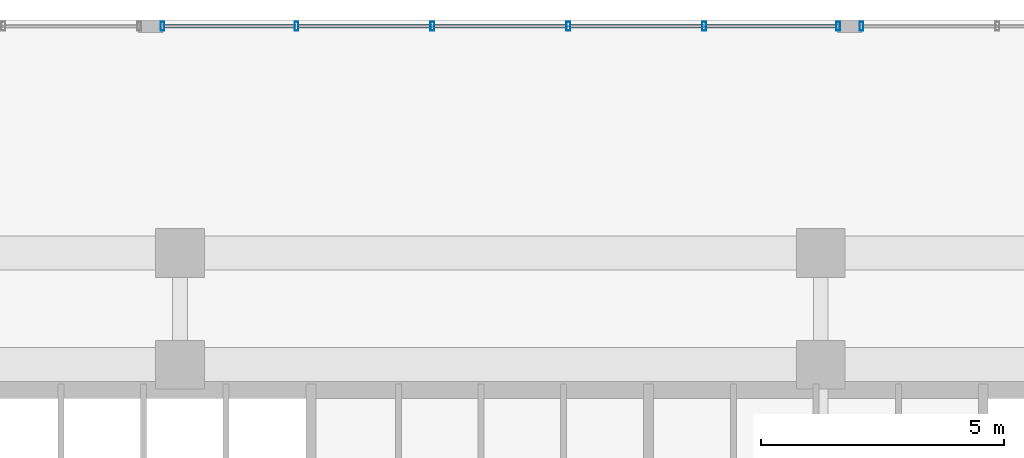
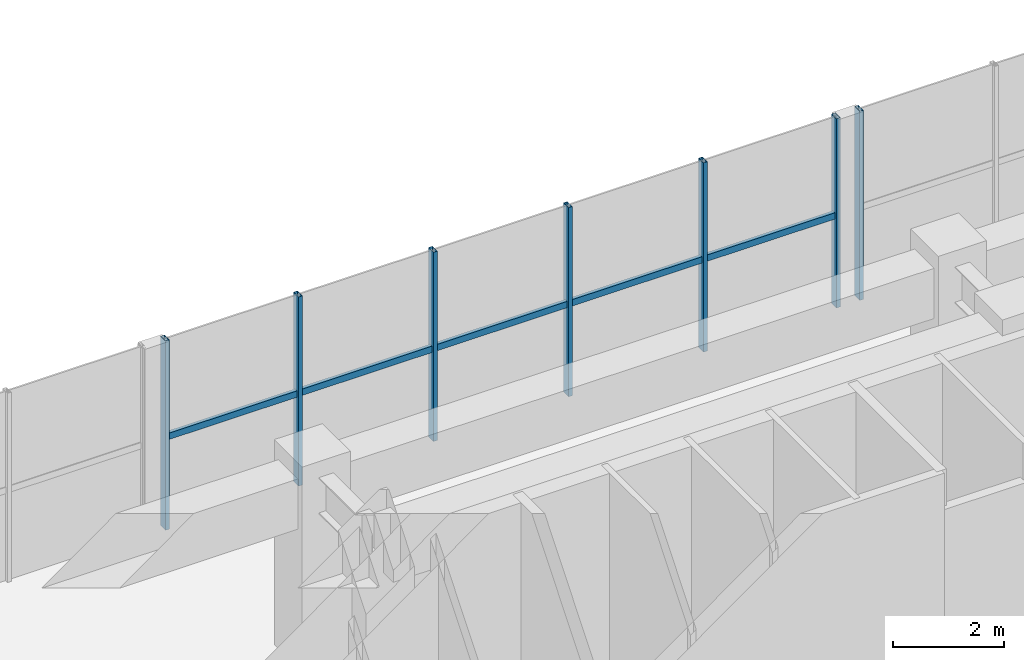
# One storey, part 8 of 21: 12 members, 2 elements without a shape of their own.
"""IFC4 building model written with IfcOpenShell, lengths in metres."""

from ifc_helpers import new_model, si_unit, direction, frame, origin, origin_2d, place, context, subcontext, project, spatial, hollow_rectangle, extrude, source, transform, mapped, material, material_profile, profile_set, type_object, element, aggregate, save


model = new_model("IFC4")

# Units and contexts
model_context = context("Model", 3, precision=1e-05, world=origin(), true_north=direction((0.0, 1.0)))
body_context = subcontext(model_context, "Body", "Model", "MODEL_VIEW")
ifc_project = project(units=[si_unit("LENGTHUNIT", "METRE"), si_unit("AREAUNIT", "SQUARE_METRE"), si_unit("VOLUMEUNIT", "CUBIC_METRE"), si_unit("PLANEANGLEUNIT", "RADIAN"), si_unit("MASSUNIT", "GRAM", prefix="KILO")], contexts=[model_context])

# Site, building, storey
site_placement = place(None, origin())
site = spatial("IfcSite", under=ifc_project, at=site_placement, CompositionType="ELEMENT")
building_placement = place(site_placement, origin())
building = spatial("IfcBuilding", under=site, at=building_placement, Name="Trelvane Seafront Commons", CompositionType="ELEMENT")
storey_placement = place(building_placement, frame((0.0, 0.0, 14.199951171875)))
storey = spatial("IfcBuildingStorey", under=building, at=storey_placement, Name="L03", CompositionType="ELEMENT", Elevation=14.199951171875)

# Curtain wall, members
ifc_material = material(Name="Anodised pale-silver aluminium", Category="aluminium")
curtain_wall_type = type_object("IfcCurtainWallType", Name="ARCH-CW1-PODIUM", PredefinedType="NOTDEFINED", material=ifc_material)
curtain_wall_1_placement = place(storey_placement, origin())
curtain_wall_1 = element("IfcCurtainWall", 1, at=curtain_wall_1_placement, inside=storey, type_object=curtain_wall_type, Name="CW-L03-0020", PredefinedType="NOTDEFINED")
ifc_material_profile_1 = material_profile(ifc_material, hollow_rectangle(XDim=0.074951171875, YDim=0.139892578125, WallThickness=0.00390625, at=origin_2d()), Name="TRAN-75x140x4")
ifc_profile_set_1 = profile_set([ifc_material_profile_1], Name="Anodised pale-silver aluminium")
member_type_1 = type_object("IfcMemberType", Name="ARCH-CW-TRAN-140", PredefinedType="USERDEFINED", material=ifc_profile_set_1)
shared_shape_1 = source(origin(), body_context, "Body", "SweptSolid", [
    extrude(hollow_rectangle(XDim=0.074951171875, YDim=0.139892578125, WallThickness=0.00390625, at=origin_2d()), origin(), (0.0, 0.0, 1.0), 2.776123046875),
])
member_1_placement = place(storey_placement, frame((30.2119140625, 52.070068359375, 1.991943359375), z_axis=(1.0, 0.0, 0.0), x_axis=(0.0, 1.0, 0.0)))
member_1 = element("IfcMember", 2, at=member_1_placement, type_object=member_type_1, Name="CW-L03-0020-T00", ObjectType="TRANSOM", PredefinedType="USERDEFINED", context=body_context, shape_type="MappedRepresentation", body=[
    mapped(shared_shape_1, transform((0.0, 0.0, 0.0), x_axis=(1.0, 0.0, 0.0), y_axis=(0.0, 1.0, 0.0), z_axis=(0.0, 0.0, 1.0), scale=1.0)),
])
member_2_placement = place(storey_placement, frame((33.011962890625, 52.070068359375, 1.991943359375), z_axis=(1.0, 0.0, 0.0), x_axis=(0.0, 1.0, 0.0)))
member_2 = element("IfcMember", 3, at=member_2_placement, type_object=member_type_1, Name="CW-L03-0020-T01", ObjectType="TRANSOM", PredefinedType="USERDEFINED", context=body_context, shape_type="MappedRepresentation", body=[
    mapped(shared_shape_1, transform((0.0, 0.0, 0.0), x_axis=(1.0, 0.0, 0.0), y_axis=(0.0, 1.0, 0.0), z_axis=(0.0, 0.0, 1.0), scale=1.0)),
])
shared_shape_2 = source(origin(), body_context, "Body", "SweptSolid", [
    extrude(hollow_rectangle(XDim=0.074951171875, YDim=0.139892578125, WallThickness=0.00390625, at=origin_2d()), origin(), (0.0, 0.0, 1.0), 2.77587890625),
])
member_3_placement = place(storey_placement, frame((35.81201171875, 52.070068359375, 1.991943359375), z_axis=(1.0, 0.0, 0.0), x_axis=(0.0, 1.0, 0.0)))
member_3 = element("IfcMember", 4, at=member_3_placement, type_object=member_type_1, Name="CW-L03-0020-T02", ObjectType="TRANSOM", PredefinedType="USERDEFINED", context=body_context, shape_type="MappedRepresentation", body=[
    mapped(shared_shape_2, transform((0.0, 0.0, 0.0), x_axis=(1.0, 0.0, 0.0), y_axis=(0.0, 1.0, 0.0), z_axis=(0.0, 0.0, 1.0), scale=1.0)),
])
member_4_placement = place(storey_placement, frame((38.612060546875, 52.070068359375, 1.991943359375), z_axis=(1.0, 0.0, 0.0), x_axis=(0.0, 1.0, 0.0)))
member_4 = element("IfcMember", 5, at=member_4_placement, type_object=member_type_1, Name="CW-L03-0020-T03", ObjectType="TRANSOM", PredefinedType="USERDEFINED", context=body_context, shape_type="MappedRepresentation", body=[
    mapped(shared_shape_2, transform((0.0, 0.0, 0.0), x_axis=(1.0, 0.0, 0.0), y_axis=(0.0, 1.0, 0.0), z_axis=(0.0, 0.0, 1.0), scale=1.0)),
])
member_5_placement = place(storey_placement, frame((41.412109375, 52.070068359375, 1.991943359375), z_axis=(1.0, 0.0, 0.0), x_axis=(0.0, 1.0, 0.0)))
member_5 = element("IfcMember", 6, at=member_5_placement, type_object=member_type_1, Name="CW-L03-0020-T04", ObjectType="TRANSOM", PredefinedType="USERDEFINED", context=body_context, shape_type="MappedRepresentation", body=[
    mapped(shared_shape_2, transform((0.0, 0.0, 0.0), x_axis=(1.0, 0.0, 0.0), y_axis=(0.0, 1.0, 0.0), z_axis=(0.0, 0.0, 1.0), scale=1.0)),
])
ifc_material_profile_2 = material_profile(ifc_material, hollow_rectangle(XDim=0.080078125, YDim=0.179931640625, WallThickness=0.00439453125, at=origin_2d()), Name="MULL-80x180x4.5")
ifc_profile_set_2 = profile_set([ifc_material_profile_2], Name="Anodised pale-silver aluminium")
member_type_2 = type_object("IfcMemberType", Name="ARCH-CW-MULL-180", PredefinedType="MULLION", material=ifc_profile_set_2)
shared_shape_3 = source(origin(), body_context, "Body", "SweptSolid", [
    extrude(hollow_rectangle(XDim=0.080078125, YDim=0.179931640625, WallThickness=0.00439453125, at=origin_2d()), origin(), (0.0, 0.0, 1.0), 4.150146484375),
])
member_6_placement = place(storey_placement, frame((30.239990234375, 52.070068359375, 0.0), z_axis=(0.0, 0.0, 1.0), x_axis=(1.0, 0.0, 0.0)))
member_6 = element("IfcMember", 7, at=member_6_placement, type_object=member_type_2, Name="CW-L03-0020-M00", PredefinedType="MULLION", context=body_context, shape_type="MappedRepresentation", body=[
    mapped(shared_shape_3, transform((0.0, 0.0, 0.0), x_axis=(1.0, 0.0, 0.0), y_axis=(0.0, 1.0, 0.0), z_axis=(0.0, 0.0, 1.0), scale=1.0)),
])
member_7_placement = place(storey_placement, frame((33.0, 52.070068359375, 0.0), z_axis=(0.0, 0.0, 1.0), x_axis=(1.0, 0.0, 0.0)))
member_7 = element("IfcMember", 8, at=member_7_placement, type_object=member_type_2, Name="CW-L03-0020-M01", PredefinedType="MULLION", context=body_context, shape_type="MappedRepresentation", body=[
    mapped(shared_shape_3, transform((0.0, 0.0, 0.0), x_axis=(1.0, 0.0, 0.0), y_axis=(0.0, 1.0, 0.0), z_axis=(0.0, 0.0, 1.0), scale=1.0)),
])
member_8_placement = place(storey_placement, frame((35.800048828125, 52.070068359375, 0.0), z_axis=(0.0, 0.0, 1.0), x_axis=(1.0, 0.0, 0.0)))
member_8 = element("IfcMember", 9, at=member_8_placement, type_object=member_type_2, Name="CW-L03-0020-M02", PredefinedType="MULLION", context=body_context, shape_type="MappedRepresentation", body=[
    mapped(shared_shape_3, transform((0.0, 0.0, 0.0), x_axis=(1.0, 0.0, 0.0), y_axis=(0.0, 1.0, 0.0), z_axis=(0.0, 0.0, 1.0), scale=1.0)),
])
member_9_placement = place(storey_placement, frame((38.60009765625, 52.070068359375, 0.0), z_axis=(0.0, 0.0, 1.0), x_axis=(1.0, 0.0, 0.0)))
member_9 = element("IfcMember", 10, at=member_9_placement, type_object=member_type_2, Name="CW-L03-0020-M03", PredefinedType="MULLION", context=body_context, shape_type="MappedRepresentation", body=[
    mapped(shared_shape_3, transform((0.0, 0.0, 0.0), x_axis=(1.0, 0.0, 0.0), y_axis=(0.0, 1.0, 0.0), z_axis=(0.0, 0.0, 1.0), scale=1.0)),
])
member_10_placement = place(storey_placement, frame((41.39990234375, 52.070068359375, 0.0), z_axis=(0.0, 0.0, 1.0), x_axis=(1.0, 0.0, 0.0)))
member_10 = element("IfcMember", 11, at=member_10_placement, type_object=member_type_2, Name="CW-L03-0020-M04", PredefinedType="MULLION", context=body_context, shape_type="MappedRepresentation", body=[
    mapped(shared_shape_3, transform((0.0, 0.0, 0.0), x_axis=(1.0, 0.0, 0.0), y_axis=(0.0, 1.0, 0.0), z_axis=(0.0, 0.0, 1.0), scale=1.0)),
])
member_11_placement = place(storey_placement, frame((44.159912109375, 52.070068359375, 0.0), z_axis=(0.0, 0.0, 1.0), x_axis=(1.0, 0.0, 0.0)))
member_11 = element("IfcMember", 12, at=member_11_placement, type_object=member_type_2, Name="CW-L03-0020-M05", PredefinedType="MULLION", context=body_context, shape_type="MappedRepresentation", body=[
    mapped(shared_shape_3, transform((0.0, 0.0, 0.0), x_axis=(1.0, 0.0, 0.0), y_axis=(0.0, 1.0, 0.0), z_axis=(0.0, 0.0, 1.0), scale=1.0)),
])
aggregate(curtain_wall_1, [member_6, member_7, member_8, member_9, member_10, member_11, member_1, member_2, member_3, member_4, member_5])

# Curtain wall, member
curtain_wall_2_placement = place(storey_placement, origin())
curtain_wall_2 = element("IfcCurtainWall", 13, at=curtain_wall_2_placement, inside=storey, type_object=curtain_wall_type, Name="CW-L03-0021", PredefinedType="NOTDEFINED")
member_12_placement = place(storey_placement, frame((44.639892578125, 52.070068359375, 0.0), z_axis=(0.0, 0.0, 1.0), x_axis=(1.0, 0.0, 0.0)))
member_12 = element("IfcMember", 14, at=member_12_placement, type_object=member_type_2, Name="CW-L03-0021-M00", PredefinedType="MULLION", context=body_context, shape_type="MappedRepresentation", body=[
    mapped(shared_shape_3, transform((0.0, 0.0, 0.0), x_axis=(1.0, 0.0, 0.0), y_axis=(0.0, 1.0, 0.0), z_axis=(0.0, 0.0, 1.0), scale=1.0)),
])
aggregate(curtain_wall_2, [member_12])

save(model, "model.ifc")
